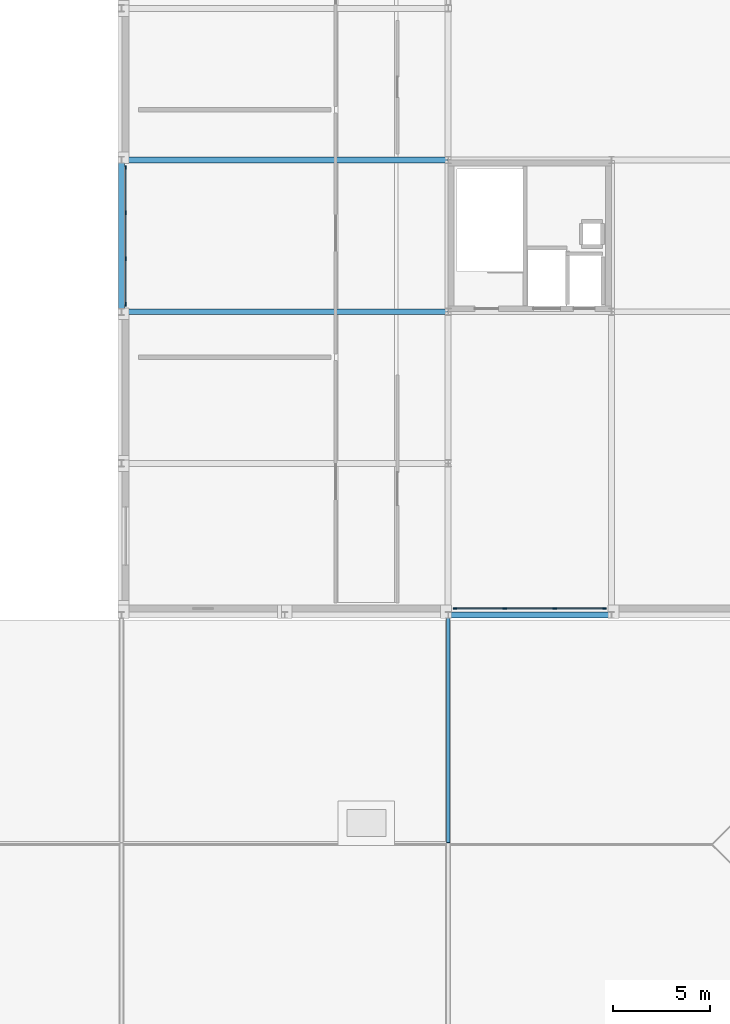
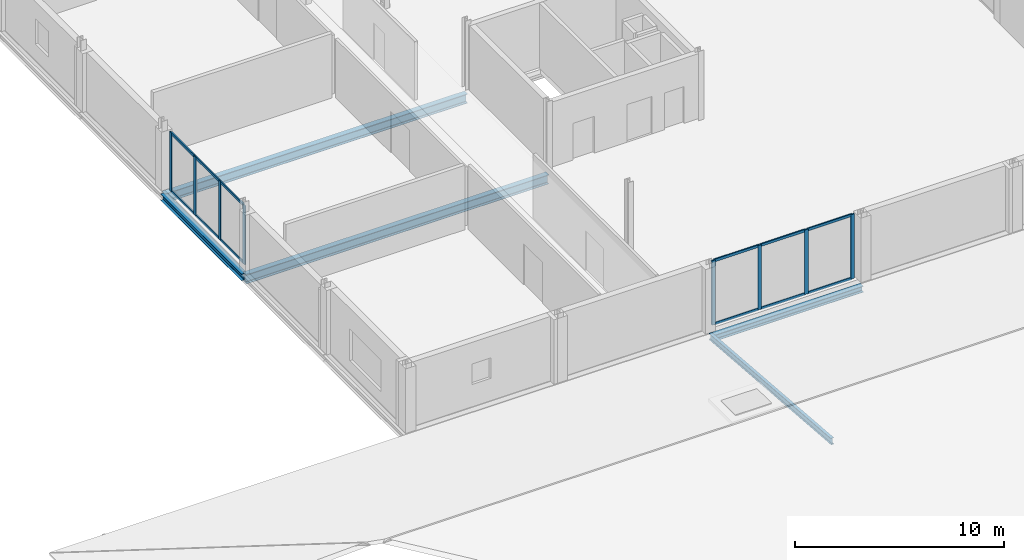
# One storey, part 21 of 77: 21 members, 4 beams, 2 elements without a shape of their own.
"""IFC4 building model written with IfcOpenShell, lengths in metres."""

from ifc_helpers import new_model, si_unit, direction, frame, origin, origin_2d, place, context, subcontext, project, spatial, rectangle, i_section, extrude, material, material_profile, profile_set, type_object, element, aggregate, save


model = new_model("IFC4")

# Units and contexts
model_context = context("Model", 3, precision=1e-05, world=origin(), true_north=direction((0.0, 1.0)))
body_context = subcontext(model_context, "Body", "Model", "MODEL_VIEW")
ifc_project = project(units=[si_unit("LENGTHUNIT", "METRE"), si_unit("AREAUNIT", "SQUARE_METRE"), si_unit("VOLUMEUNIT", "CUBIC_METRE"), si_unit("PLANEANGLEUNIT", "RADIAN"), si_unit("MASSUNIT", "GRAM", prefix="KILO")], contexts=[model_context])

# Site, building, storey
site_placement = place(None, origin())
site = spatial("IfcSite", under=ifc_project, at=site_placement, CompositionType="ELEMENT")
building_placement = place(site_placement, origin())
building = spatial("IfcBuilding", under=site, at=building_placement, Name="Nabrawat Pavilion Hospital", CompositionType="ELEMENT")
storey_placement = place(building_placement, frame((0.0, 0.0, 14.85009765625)))
storey = spatial("IfcBuildingStorey", under=building, at=storey_placement, Name="L03", CompositionType="ELEMENT", Elevation=14.85009765625)

# Curtain wall, members
ifc_material_1 = material(Name="Anodised Aluminium", Category="aluminium")
curtain_wall_type = type_object("IfcCurtainWallType", Name="Emergency Concourse Glazed Screen", PredefinedType="USERDEFINED", material=ifc_material_1)
curtain_wall_1_placement = place(storey_placement, origin())
curtain_wall_1 = element("IfcCurtainWall", 1, at=curtain_wall_1_placement, inside=storey, type_object=curtain_wall_type, Name="L03 Emergency Concourse Glazed Screen 140", ObjectType="CURTAIN WALL", PredefinedType="USERDEFINED")
ifc_material_profile_1 = material_profile(ifc_material_1, rectangle(XDim=0.070068359375, YDim=0.199951171875, at=origin_2d()), Name="CWM 70x200")
ifc_profile_set_1 = profile_set([ifc_material_profile_1], Name="Anodised Aluminium")
member_type_1 = type_object("IfcMemberType", Name="Emergency Concourse Glazed Screen Mullion CWM 70x200", PredefinedType="MULLION", material=ifc_profile_set_1)
member_1_placement = place(storey_placement, frame((17.02001953125, 54.97998046875, 0.0), z_axis=(0.0, 0.0, 1.0), x_axis=(-1.0, 0.0, 0.0)))
member_1 = element("IfcMember", 2, at=member_1_placement, type_object=member_type_1, Name="CW-ED-01 mullion 1", PredefinedType="MULLION", context=body_context, shape_type="SweptSolid", body=[
    extrude(rectangle(XDim=0.070068359375, YDim=0.199951171875, at=origin_2d()), origin(), (0.0, 0.0, 1.0), 3.43994140625),
])
member_2_placement = place(storey_placement, frame((17.02001953125, 57.31494140625, 0.0), z_axis=(0.0, 0.0, 1.0), x_axis=(-1.0, 0.0, 0.0)))
member_2 = element("IfcMember", 3, at=member_2_placement, type_object=member_type_1, Name="CW-ED-01 mullion 2", PredefinedType="MULLION", context=body_context, shape_type="SweptSolid", body=[
    extrude(rectangle(XDim=0.070068359375, YDim=0.199951171875, at=origin_2d()), origin(), (0.0, 0.0, 1.0), 3.43994140625),
])
member_3_placement = place(storey_placement, frame((17.02001953125, 59.68505859375, 0.0), z_axis=(0.0, 0.0, 1.0), x_axis=(-1.0, 0.0, 0.0)))
member_3 = element("IfcMember", 4, at=member_3_placement, type_object=member_type_1, Name="CW-ED-01 mullion 3", PredefinedType="MULLION", context=body_context, shape_type="SweptSolid", body=[
    extrude(rectangle(XDim=0.070068359375, YDim=0.199951171875, at=origin_2d()), origin(), (0.0, 0.0, 1.0), 3.43994140625),
])
member_4_placement = place(storey_placement, frame((17.02001953125, 62.02001953125, 0.0), z_axis=(0.0, 0.0, 1.0), x_axis=(-1.0, 0.0, 0.0)))
member_4 = element("IfcMember", 5, at=member_4_placement, type_object=member_type_1, Name="CW-ED-01 mullion 4", PredefinedType="MULLION", context=body_context, shape_type="SweptSolid", body=[
    extrude(rectangle(XDim=0.070068359375, YDim=0.199951171875, at=origin_2d()), origin(), (0.0, 0.0, 1.0), 3.43994140625),
])

curtain_wall_2_placement = place(storey_placement, origin())
curtain_wall_2 = element("IfcCurtainWall", 6, at=curtain_wall_2_placement, inside=storey, type_object=curtain_wall_type, Name="L03 Emergency Concourse Glazed Screen 141", ObjectType="CURTAIN WALL", PredefinedType="USERDEFINED")
member_5_placement = place(storey_placement, frame((33.955078125, 39.340087890625, 0.0), z_axis=(0.0, 0.0, 1.0), x_axis=(0.0, 1.0, 0.0)))
member_5 = element("IfcMember", 7, at=member_5_placement, type_object=member_type_1, Name="CW-ED-01 mullion 1", PredefinedType="MULLION", context=body_context, shape_type="SweptSolid", body=[
    extrude(rectangle(XDim=0.070068359375, YDim=0.199951171875, at=origin_2d()), origin(), (0.0, 0.0, 1.0), 3.77001953125),
])
member_6_placement = place(storey_placement, frame((36.506591796875, 39.340087890625, 0.0), z_axis=(0.0, 0.0, 1.0), x_axis=(0.0, 1.0, 0.0)))
member_6 = element("IfcMember", 8, at=member_6_placement, type_object=member_type_1, Name="CW-ED-01 mullion 2", PredefinedType="MULLION", context=body_context, shape_type="SweptSolid", body=[
    extrude(rectangle(XDim=0.070068359375, YDim=0.199951171875, at=origin_2d()), origin(), (0.0, 0.0, 1.0), 3.77001953125),
])
member_7_placement = place(storey_placement, frame((39.09326171875, 39.340087890625, 0.0), z_axis=(0.0, 0.0, 1.0), x_axis=(0.0, 1.0, 0.0)))
member_7 = element("IfcMember", 9, at=member_7_placement, type_object=member_type_1, Name="CW-ED-01 mullion 3", PredefinedType="MULLION", context=body_context, shape_type="SweptSolid", body=[
    extrude(rectangle(XDim=0.070068359375, YDim=0.199951171875, at=origin_2d()), origin(), (0.0, 0.0, 1.0), 3.77001953125),
])
member_8_placement = place(storey_placement, frame((41.64501953125, 39.340087890625, 0.0), z_axis=(0.0, 0.0, 1.0), x_axis=(0.0, 1.0, 0.0)))
member_8 = element("IfcMember", 10, at=member_8_placement, type_object=member_type_1, Name="CW-ED-01 mullion 4", PredefinedType="MULLION", context=body_context, shape_type="SweptSolid", body=[
    extrude(rectangle(XDim=0.070068359375, YDim=0.199951171875, at=origin_2d()), origin(), (0.0, 0.0, 1.0), 3.77001953125),
])

# Member
ifc_material_profile_2 = material_profile(ifc_material_1, rectangle(XDim=0.070068359375, YDim=0.14990234375, at=origin_2d()), Name="CWT 70x150")
ifc_profile_set_2 = profile_set([ifc_material_profile_2], Name="Anodised Aluminium")
member_type_2 = type_object("IfcMemberType", Name="Emergency Concourse Glazed Screen Transom CWT 70x150", PredefinedType="USERDEFINED", material=ifc_profile_set_2)
member_9_placement = place(storey_placement, frame((17.02001953125, 55.014892578125, 0.034912109375), z_axis=(0.0, 1.0, 0.0), x_axis=(-1.0, 0.0, 0.0)))
member_9 = element("IfcMember", 11, at=member_9_placement, type_object=member_type_2, Name="CW-ED-01 transom 1.1", ObjectType="TRANSOM", PredefinedType="USERDEFINED", context=body_context, shape_type="SweptSolid", body=[
    extrude(rectangle(XDim=0.070068359375, YDim=0.14990234375, at=origin_2d()), origin(), (0.0, 0.0, 1.0), 2.26513671875),
])

member_10_placement = place(storey_placement, frame((17.02001953125, 55.014892578125, 3.40478515625), z_axis=(0.0, 1.0, 0.0), x_axis=(-1.0, 0.0, 0.0)))
member_10 = element("IfcMember", 12, at=member_10_placement, type_object=member_type_2, Name="CW-ED-01 transom 1.2", ObjectType="TRANSOM", PredefinedType="USERDEFINED", context=body_context, shape_type="SweptSolid", body=[
    extrude(rectangle(XDim=0.070068359375, YDim=0.14990234375, at=origin_2d()), origin(), (0.0, 0.0, 1.0), 2.26513671875),
])

member_11_placement = place(storey_placement, frame((17.02001953125, 57.35009765625, 0.034912109375), z_axis=(0.0, 1.0, 0.0), x_axis=(-1.0, 0.0, 0.0)))
member_11 = element("IfcMember", 13, at=member_11_placement, type_object=member_type_2, Name="CW-ED-01 transom 2.1", ObjectType="TRANSOM", PredefinedType="USERDEFINED", context=body_context, shape_type="SweptSolid", body=[
    extrude(rectangle(XDim=0.070068359375, YDim=0.14990234375, at=origin_2d()), origin(), (0.0, 0.0, 1.0), 2.2998046875),
])

member_12_placement = place(storey_placement, frame((17.02001953125, 57.35009765625, 3.40478515625), z_axis=(0.0, 1.0, 0.0), x_axis=(-1.0, 0.0, 0.0)))
member_12 = element("IfcMember", 14, at=member_12_placement, type_object=member_type_2, Name="CW-ED-01 transom 2.2", ObjectType="TRANSOM", PredefinedType="USERDEFINED", context=body_context, shape_type="SweptSolid", body=[
    extrude(rectangle(XDim=0.070068359375, YDim=0.14990234375, at=origin_2d()), origin(), (0.0, 0.0, 1.0), 2.2998046875),
])

member_13_placement = place(storey_placement, frame((17.02001953125, 59.719970703125, 0.034912109375), z_axis=(0.0, 1.0, 0.0), x_axis=(-1.0, 0.0, 0.0)))
member_13 = element("IfcMember", 15, at=member_13_placement, type_object=member_type_2, Name="CW-ED-01 transom 3.1", ObjectType="TRANSOM", PredefinedType="USERDEFINED", context=body_context, shape_type="SweptSolid", body=[
    extrude(rectangle(XDim=0.070068359375, YDim=0.14990234375, at=origin_2d()), origin(), (0.0, 0.0, 1.0), 2.26513671875),
])

member_14_placement = place(storey_placement, frame((17.02001953125, 59.719970703125, 3.40478515625), z_axis=(0.0, 1.0, 0.0), x_axis=(-1.0, 0.0, 0.0)))
member_14 = element("IfcMember", 16, at=member_14_placement, type_object=member_type_2, Name="CW-ED-01 transom 3.2", ObjectType="TRANSOM", PredefinedType="USERDEFINED", context=body_context, shape_type="SweptSolid", body=[
    extrude(rectangle(XDim=0.070068359375, YDim=0.14990234375, at=origin_2d()), origin(), (0.0, 0.0, 1.0), 2.26513671875),
])

aggregate(curtain_wall_1, [member_1, member_2, member_3, member_4, member_9, member_10, member_11, member_12, member_13, member_14])

member_15_placement = place(storey_placement, frame((33.989990234375, 39.340087890625, 0.034912109375), z_axis=(1.0, 0.0, 0.0), x_axis=(0.0, 1.0, 0.0)))
member_15 = element("IfcMember", 17, at=member_15_placement, type_object=member_type_2, Name="CW-ED-01 transom 1.1", ObjectType="TRANSOM", PredefinedType="USERDEFINED", context=body_context, shape_type="SweptSolid", body=[
    extrude(rectangle(XDim=0.070068359375, YDim=0.14990234375, at=origin_2d()), origin(), (0.0, 0.0, 1.0), 2.481689453125),
])

member_16_placement = place(storey_placement, frame((33.989990234375, 39.340087890625, 3.73486328125), z_axis=(1.0, 0.0, 0.0), x_axis=(0.0, 1.0, 0.0)))
member_16 = element("IfcMember", 18, at=member_16_placement, type_object=member_type_2, Name="CW-ED-01 transom 1.2", ObjectType="TRANSOM", PredefinedType="USERDEFINED", context=body_context, shape_type="SweptSolid", body=[
    extrude(rectangle(XDim=0.070068359375, YDim=0.14990234375, at=origin_2d()), origin(), (0.0, 0.0, 1.0), 2.481689453125),
])

member_17_placement = place(storey_placement, frame((36.541748046875, 39.340087890625, 0.034912109375), z_axis=(1.0, 0.0, 0.0), x_axis=(0.0, 1.0, 0.0)))
member_17 = element("IfcMember", 19, at=member_17_placement, type_object=member_type_2, Name="CW-ED-01 transom 2.1", ObjectType="TRANSOM", PredefinedType="USERDEFINED", context=body_context, shape_type="SweptSolid", body=[
    extrude(rectangle(XDim=0.070068359375, YDim=0.14990234375, at=origin_2d()), origin(), (0.0, 0.0, 1.0), 2.5166015625),
])

member_18_placement = place(storey_placement, frame((36.541748046875, 39.340087890625, 3.73486328125), z_axis=(1.0, 0.0, 0.0), x_axis=(0.0, 1.0, 0.0)))
member_18 = element("IfcMember", 20, at=member_18_placement, type_object=member_type_2, Name="CW-ED-01 transom 2.2", ObjectType="TRANSOM", PredefinedType="USERDEFINED", context=body_context, shape_type="SweptSolid", body=[
    extrude(rectangle(XDim=0.070068359375, YDim=0.14990234375, at=origin_2d()), origin(), (0.0, 0.0, 1.0), 2.5166015625),
])

member_19_placement = place(storey_placement, frame((39.12841796875, 39.340087890625, 0.034912109375), z_axis=(1.0, 0.0, 0.0), x_axis=(0.0, 1.0, 0.0)))
member_19 = element("IfcMember", 21, at=member_19_placement, type_object=member_type_2, Name="CW-ED-01 transom 3.1", ObjectType="TRANSOM", PredefinedType="USERDEFINED", context=body_context, shape_type="SweptSolid", body=[
    extrude(rectangle(XDim=0.070068359375, YDim=0.14990234375, at=origin_2d()), origin(), (0.0, 0.0, 1.0), 2.481689453125),
])

member_20_placement = place(storey_placement, frame((39.12841796875, 39.340087890625, 3.73486328125), z_axis=(1.0, 0.0, 0.0), x_axis=(0.0, 1.0, 0.0)))
member_20 = element("IfcMember", 22, at=member_20_placement, type_object=member_type_2, Name="CW-ED-01 transom 3.2", ObjectType="TRANSOM", PredefinedType="USERDEFINED", context=body_context, shape_type="SweptSolid", body=[
    extrude(rectangle(XDim=0.070068359375, YDim=0.14990234375, at=origin_2d()), origin(), (0.0, 0.0, 1.0), 2.481689453125),
])

aggregate(curtain_wall_2, [member_5, member_6, member_7, member_8, member_15, member_16, member_17, member_18, member_19, member_20])

# Beams
ifc_material_2 = material(Name="Steel S355", Category="steel")
ifc_material_profile_3 = material_profile(ifc_material_2, i_section(OverallWidth=0.300048828125, OverallDepth=0.389892578125, WebThickness=0.010986328125, FlangeThickness=0.01904296875, FilletRadius=0.027099609375, at=origin_2d()), Name="HEA 400")
ifc_profile_set_3 = profile_set([ifc_material_profile_3], Name="Steel S355")
beam_type_1 = type_object("IfcBeamType", Name="Perimeter Moment Spandrel Beam HEA 400", PredefinedType="SPANDREL", material=ifc_profile_set_3)
beam_1_placement = place(storey_placement, frame((16.800048828125, 54.6201171875, -0.465087890625), z_axis=(0.0, 1.0, 0.0), x_axis=(-1.0, 0.0, 0.0)))
element("IfcBeam", 23, at=beam_1_placement, inside=storey, type_object=beam_type_1, Name="L03 Primary Y Beam 1589", PredefinedType="SPANDREL", context=body_context, shape_type="SweptSolid", body=[
    extrude(i_section(OverallWidth=0.300048828125, OverallDepth=0.389892578125, WebThickness=0.010986328125, FlangeThickness=0.01904296875, FilletRadius=0.027099609375, at=origin_2d()), origin(), (0.0, 0.0, 1.0), 7.759765625),
])
ifc_material_profile_4 = material_profile(ifc_material_2, i_section(OverallWidth=0.300048828125, OverallDepth=0.5400390625, WebThickness=0.012451171875, FlangeThickness=0.02392578125, FilletRadius=0.027099609375, at=origin_2d()), Name="HEA 550")
ifc_profile_set_4 = profile_set([ifc_material_profile_4], Name="Steel S355")
beam_type_2 = type_object("IfcBeamType", Name="Primary Clinical Girder HEA 550", PredefinedType="USERDEFINED", material=ifc_profile_set_4)
for number, where, z_axis, x_axis, name in (
    (24, (16.820068359375, 54.60009765625, -0.5400390625), (1.0, 0.0, 0.0), (0.0, 1.0, 0.0), "L03 Primary X Girder 1491"),
    (25, (16.820068359375, 62.39990234375, -0.5400390625), (1.0, 0.0, 0.0), (0.0, 1.0, 0.0), "L03 Primary X Girder 1502"),
):
    element("IfcBeam", number, at=place(storey_placement, frame(where, z_axis=z_axis, x_axis=x_axis)), inside=storey, type_object=beam_type_2, Name=name, ObjectType="GIRDER", PredefinedType="USERDEFINED", context=body_context, shape_type="SweptSolid", body=[
        extrude(i_section(OverallWidth=0.300048828125, OverallDepth=0.5400390625, WebThickness=0.012451171875, FlangeThickness=0.02392578125, FilletRadius=0.027099609375, at=origin_2d()), origin(), (0.0, 0.0, 1.0), 16.760009765625),
    ])

# Member
ifc_material_profile_5 = material_profile(ifc_material_2, i_section(OverallWidth=0.169921875, OverallDepth=0.360107421875, WebThickness=0.008056640625, FlangeThickness=0.0126953125, FilletRadius=0.01806640625, at=origin_2d()), Name="IPE 360")
ifc_profile_set_5 = profile_set([ifc_material_profile_5], Name="Steel S355")
member_type_3 = type_object("IfcMemberType", Name="Surgical Hipped Roof Rafter IPE 360", PredefinedType="RAFTER", material=ifc_profile_set_5)
member_21_placement = place(storey_placement, frame((33.60009765625, 39.0, -0.35009765625), z_axis=(0.0, -0.996805085282, 0.079872535682), x_axis=(1.0, 0.0, 0.0)))
element("IfcMember", 26, at=member_21_placement, inside=storey, type_object=member_type_3, Name="Emergency North Pavilion North Hipped Rafter 03", PredefinedType="RAFTER", context=body_context, shape_type="SweptSolid", body=[
    extrude(i_section(OverallWidth=0.169921875, OverallDepth=0.360107421875, WebThickness=0.008056640625, FlangeThickness=0.0126953125, FilletRadius=0.01806640625, at=origin_2d()), origin(), (0.0, 0.0, 1.0), 11.737548828125),
])

# Beam
ifc_material_profile_6 = material_profile(ifc_material_2, i_section(OverallWidth=0.300048828125, OverallDepth=0.360107421875, WebThickness=0.012451171875, FlangeThickness=0.0224609375, FilletRadius=0.027099609375, at=origin_2d()), Name="HEB 360")
ifc_profile_set_6 = profile_set([ifc_material_profile_6], Name="Steel S355")
beam_type_3 = type_object("IfcBeamType", Name="Surgical Perimeter Spandrel HEB 360", PredefinedType="SPANDREL", material=ifc_profile_set_6)
beam_2_placement = place(storey_placement, frame((33.6201171875, 39.0, -0.4501953125), z_axis=(1.0, 0.0, 0.0), x_axis=(0.0, 1.0, 0.0)))
element("IfcBeam", 27, at=beam_2_placement, inside=storey, type_object=beam_type_3, Name="L03 Primary X Girder 1461", PredefinedType="SPANDREL", context=body_context, shape_type="SweptSolid", body=[
    extrude(i_section(OverallWidth=0.300048828125, OverallDepth=0.360107421875, WebThickness=0.012451171875, FlangeThickness=0.0224609375, FilletRadius=0.027099609375, at=origin_2d()), origin(), (0.0, 0.0, 1.0), 8.35986328125),
])

save(model, "model.ifc")
